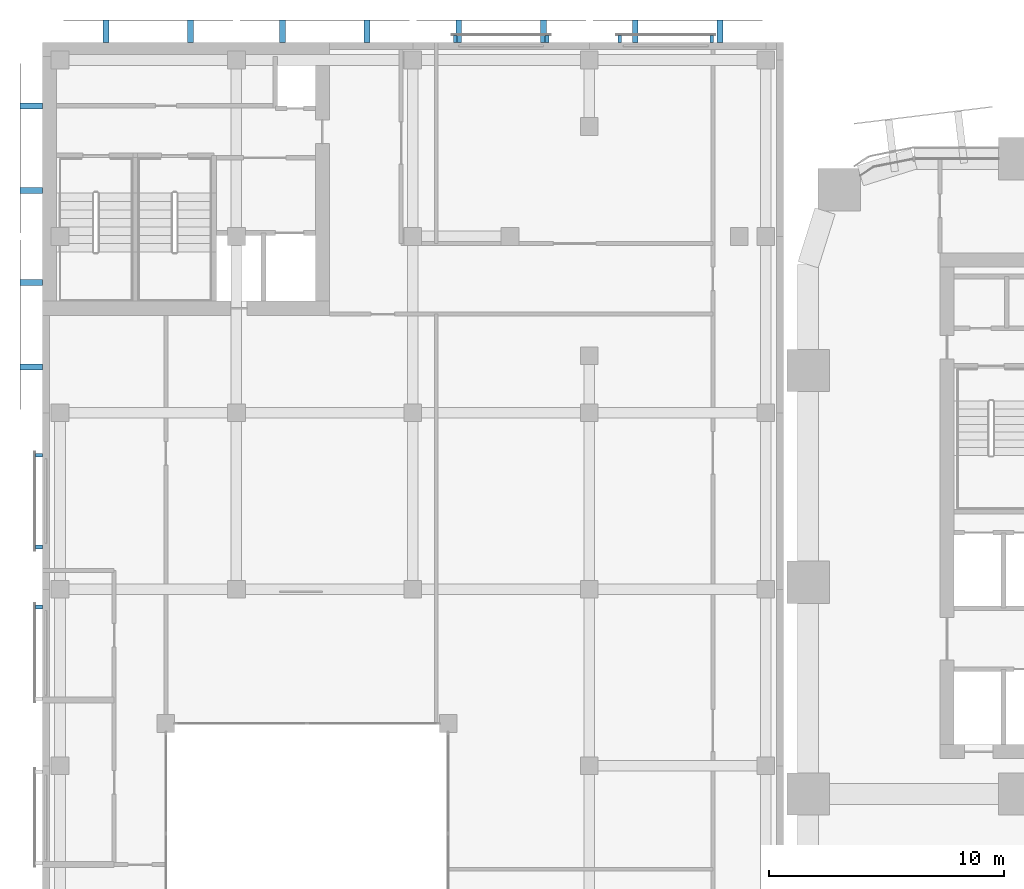
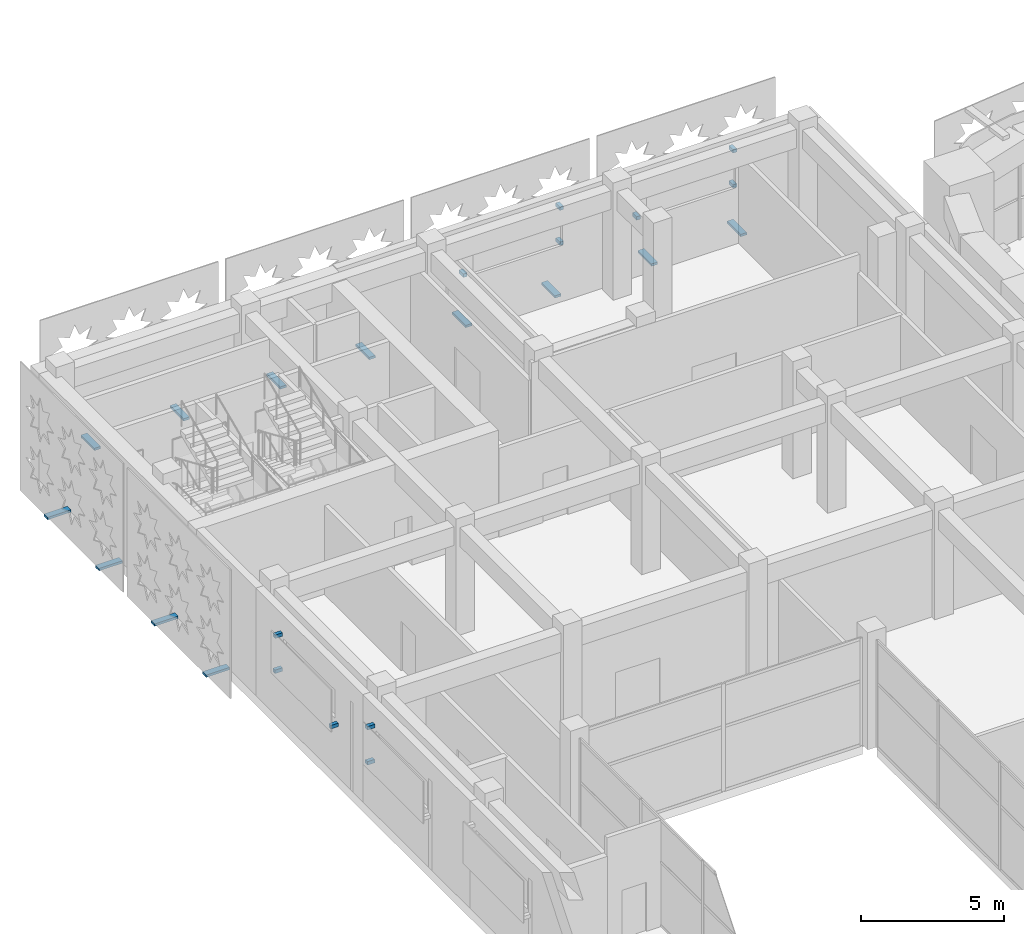
# One storey, part 27 of 40: 23 discrete accessories.
"""IFC4 building model written with IfcOpenShell, lengths in metres."""

from ifc_helpers import new_model, si_unit, direction, frame, origin, origin_2d, place, context, subcontext, project, spatial, rectangle, extrude, element, save


model = new_model("IFC4")

# Units and contexts
model_context = context("Model", 3, precision=1e-05, world=origin(), true_north=direction((0.0, 1.0)))
body_context = subcontext(model_context, "Body", "Model", "MODEL_VIEW")
ifc_project = project(units=[si_unit("LENGTHUNIT", "METRE"), si_unit("AREAUNIT", "SQUARE_METRE"), si_unit("VOLUMEUNIT", "CUBIC_METRE"), si_unit("PLANEANGLEUNIT", "RADIAN"), si_unit("MASSUNIT", "GRAM", prefix="KILO")], contexts=[model_context])

# Site, building, storey
site_placement = place(None, origin())
site = spatial("IfcSite", under=ifc_project, at=site_placement, CompositionType="ELEMENT")
building_placement = place(site_placement, origin())
building = spatial("IfcBuilding", under=site, at=building_placement, Name="Tessera Arch", CompositionType="ELEMENT")
storey_placement = place(building_placement, frame((0.0, 0.0, 21.0)))
storey = spatial("IfcBuildingStorey", under=building, at=storey_placement, Name="L03", CompositionType="ELEMENT", Elevation=21.0)

# Discrete accessories
for number, where, z_axis, x_axis, name in (
    (1, (-4.10009765625, 59.10009765625, 2.175048828125), (0.0, 0.0, 1.0), (0.0, 1.0, 0.0), "Screen bracket"),
    (2, (-8.0, 59.10009765625, 2.175048828125), (0.0, 0.0, 1.0), (0.0, 1.0, 0.0), "Screen bracket"),
    (3, (-4.10009765625, 59.10009765625, 3.675048828125), (0.0, 0.0, 1.0), (0.0, 1.0, 0.0), "Screen bracket"),
    (4, (-11.10009765625, 59.10009765625, 2.175048828125), (0.0, 0.0, 1.0), (0.0, 1.0, 0.0), "Screen bracket"),
    (5, (-15.0, 59.10009765625, 2.175048828125), (0.0, 0.0, 1.0), (0.0, 1.0, 0.0), "Screen bracket"),
    (6, (-11.10009765625, 59.10009765625, 3.675048828125), (0.0, 0.0, 1.0), (0.0, 1.0, 0.0), "Screen bracket"),
    (7, (-32.699951171875, 41.39990234375, 2.175048828125), (0.0, 0.0, 1.0), (-1.0, 0.0, 0.0), "Screen bracket"),
    (8, (-32.699951171875, 37.5, 2.175048828125), (0.0, 0.0, 1.0), (-1.0, 0.0, 0.0), "Screen bracket"),
    (9, (-32.699951171875, 41.39990234375, 3.675048828125), (0.0, 0.0, 1.0), (-1.0, 0.0, 0.0), "Screen bracket"),
    (10, (-32.699951171875, 34.949951171875, 2.175048828125), (0.0, 0.0, 1.0), (-1.0, 0.0, 0.0), "Screen bracket"),
    (11, (-32.699951171875, 34.949951171875, 3.675048828125), (0.0, 0.0, 1.0), (-1.0, 0.0, 0.0), "Screen bracket"),
):
    element("IfcDiscreteAccessory", number, at=place(storey_placement, frame(where, z_axis=z_axis, x_axis=x_axis)), inside=storey, Name=name, PredefinedType="BRACKET", context=body_context, shape_type="SweptSolid", body=[
        extrude(rectangle(XDim=0.300048828125, YDim=0.14990234375, at=origin_2d()), origin(), (0.0, 0.0, 1.0), 0.14990234375),
    ])
for number, where, z_axis, x_axis, name in (
    (12, (-3.75, 59.425048828125, 0.0), (0.0, 0.0, 1.0), (0.0, 1.0, 0.0), "Screen panel bracket"),
    (13, (-7.35009765625, 59.425048828125, 0.0), (0.0, 0.0, 1.0), (0.0, 1.0, 0.0), "Screen panel bracket"),
    (14, (-11.25, 59.425048828125, 0.0), (0.0, 0.0, 1.0), (0.0, 1.0, 0.0), "Screen panel bracket"),
    (15, (-14.85009765625, 59.425048828125, 0.0), (0.0, 0.0, 1.0), (0.0, 1.0, 0.0), "Screen panel bracket"),
    (16, (-18.75, 59.425048828125, 0.0), (0.0, 0.0, 1.0), (0.0, 1.0, 0.0), "Screen panel bracket"),
    (17, (-22.35009765625, 59.425048828125, 0.0), (0.0, 0.0, 1.0), (0.0, 1.0, 0.0), "Screen panel bracket"),
    (18, (-26.25, 59.425048828125, 0.0), (0.0, 0.0, 1.0), (0.0, 1.0, 0.0), "Screen panel bracket"),
    (19, (-29.85009765625, 59.425048828125, 0.0), (0.0, 0.0, 1.0), (0.0, 1.0, 0.0), "Screen panel bracket"),
    (20, (-33.02490234375, 56.25, 0.0), (0.0, 0.0, 1.0), (-1.0, 0.0, 0.0), "Screen panel bracket"),
    (21, (-33.02490234375, 52.64990234375, 0.0), (0.0, 0.0, 1.0), (-1.0, 0.0, 0.0), "Screen panel bracket"),
    (22, (-33.02490234375, 48.75, 0.0), (0.0, 0.0, 1.0), (-1.0, 0.0, 0.0), "Screen panel bracket"),
    (23, (-33.02490234375, 45.14990234375, 0.0), (0.0, 0.0, 1.0), (-1.0, 0.0, 0.0), "Screen panel bracket"),
):
    element("IfcDiscreteAccessory", number, at=place(storey_placement, frame(where, z_axis=z_axis, x_axis=x_axis)), inside=storey, Name=name, PredefinedType="BRACKET", context=body_context, shape_type="SweptSolid", body=[
        extrude(rectangle(XDim=0.949951171875, YDim=0.25, at=origin_2d()), origin(), (0.0, 0.0, 1.0), 0.10009765625),
    ])

save(model, "model.ifc")
